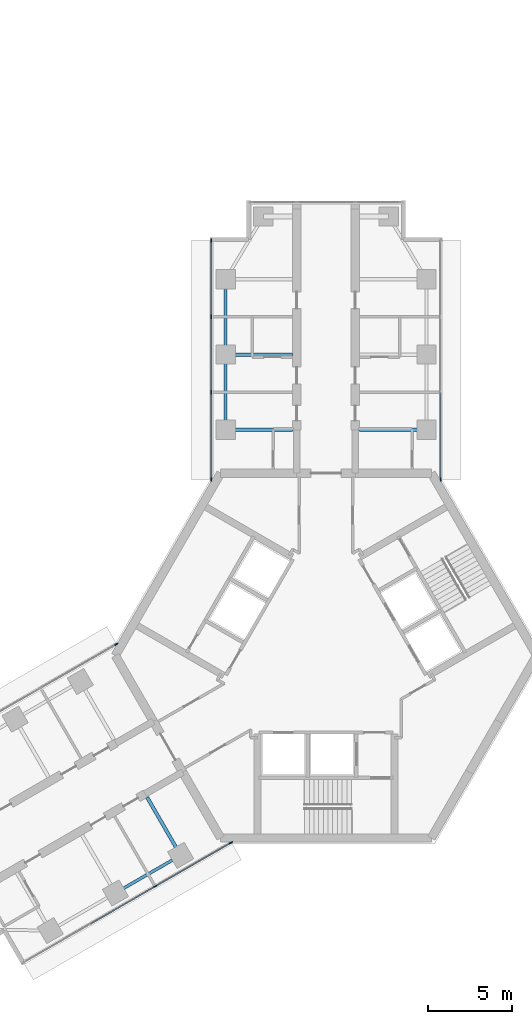
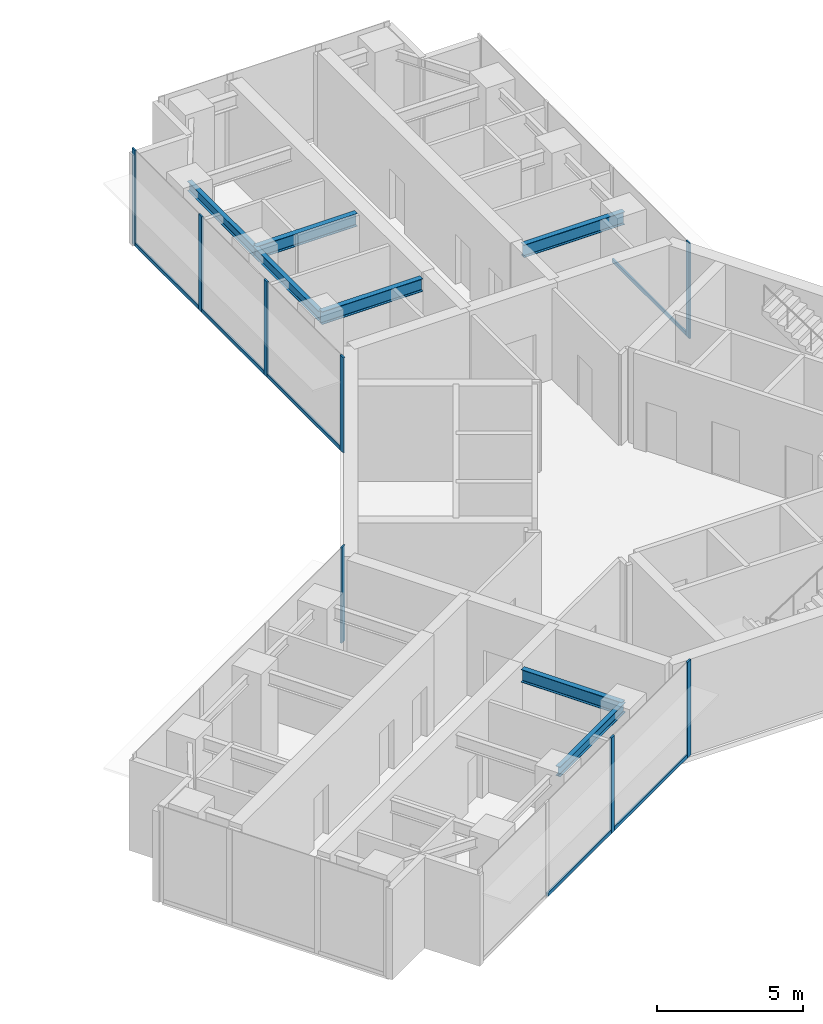
# One storey, part 8 of 17: 14 members, 7 beams, 4 elements without a shape of their own.
"""IFC4 building model written with IfcOpenShell, lengths in metres."""

from ifc_helpers import new_model, si_unit, direction, frame, origin, origin_2d, place, context, subcontext, project, spatial, rectangle, i_section, extrude, material, material_profile, profile_set, type_object, element, aggregate, save


model = new_model("IFC4")

# Units and contexts
model_context = context("Model", 3, precision=1e-05, world=origin(), true_north=direction((0.0, 1.0)))
body_context = subcontext(model_context, "Body", "Model", "MODEL_VIEW")
ifc_project = project(units=[si_unit("LENGTHUNIT", "METRE"), si_unit("AREAUNIT", "SQUARE_METRE"), si_unit("VOLUMEUNIT", "CUBIC_METRE"), si_unit("PLANEANGLEUNIT", "RADIAN"), si_unit("MASSUNIT", "GRAM", prefix="KILO")], contexts=[model_context])

# Site, building, storey
site_placement = place(None, origin())
site = spatial("IfcSite", under=ifc_project, at=site_placement, CompositionType="ELEMENT")
building_placement = place(site_placement, origin())
building = spatial("IfcBuilding", under=site, at=building_placement, Name="Upepo Twin Towers", CompositionType="ELEMENT")
storey_placement = place(building_placement, frame((0.0, 0.0, 198.5)))
storey = spatial("IfcBuildingStorey", under=building, at=storey_placement, Name="L48", CompositionType="ELEMENT", Elevation=198.5)

# Beams
ifc_material_1 = material(Name="Steel S355", Category="steel")
ifc_material_profile_1 = material_profile(ifc_material_1, i_section(OverallWidth=0.177978515625, OverallDepth=0.406494140625, WebThickness=0.0078125, FlangeThickness=0.0126953125, FilletRadius=0.01025390625, at=origin_2d()), Name="UB 406x178x60")
ifc_profile_set_1 = profile_set([ifc_material_profile_1], Name="Steel S355")
beam_type_1 = type_object("IfcBeamType", Name="Beam UB 406x178x60", PredefinedType="BEAM", material=ifc_profile_set_1)
for number, where, z_axis, x_axis, name in (
    (1, (52.5, -4.5, 3.5966796875), (0.0, 1.0, 0.0), (-1.0, 0.0, 0.0), "T2 edge beam AL 13.5-18.0"),
    (2, (52.5, 0.0, 3.5966796875), (0.0, 1.0, 0.0), (-1.0, 0.0, 0.0), "T2 edge beam AL 18.0-22.5"),
):
    element("IfcBeam", number, at=place(storey_placement, frame(where, z_axis=z_axis, x_axis=x_axis)), inside=storey, type_object=beam_type_1, Name=name, PredefinedType="BEAM", context=body_context, shape_type="SweptSolid", body=[
        extrude(i_section(OverallWidth=0.177978515625, OverallDepth=0.406494140625, WebThickness=0.0078125, FlangeThickness=0.0126953125, FilletRadius=0.01025390625, at=origin_2d()), origin(), (0.0, 0.0, 1.0), 4.5),
    ])
beam_placement = place(storey_placement, frame((49.80859375, -29.946044921875, 3.5966796875), z_axis=(-0.866017533419, -0.500013631625, 0.0), x_axis=(0.500013631625, -0.866017533419, 0.0)))
element("IfcBeam", 3, at=beam_placement, inside=storey, type_object=beam_type_1, Name="T2 edge beam BL 13.5-18.0", PredefinedType="BEAM", context=body_context, shape_type="SweptSolid", body=[
    extrude(i_section(OverallWidth=0.177978515625, OverallDepth=0.406494140625, WebThickness=0.0078125, FlangeThickness=0.0126953125, FilletRadius=0.01025390625, at=origin_2d()), origin(), (0.0, 0.0, 1.0), 4.499755859375),
])
ifc_material_2 = material(Name="Steel S355", Category="steel")
ifc_material_profile_2 = material_profile(ifc_material_2, i_section(OverallWidth=0.209228515625, OverallDepth=0.533203125, WebThickness=0.010009765625, FlangeThickness=0.015625, FilletRadius=0.0126953125, at=origin_2d()), Name="UB 533x210x92")
ifc_profile_set_2 = profile_set([ifc_material_profile_2], Name="Steel S355")
beam_type_2 = type_object("IfcBeamType", Name="Beam UB 533x210x92", PredefinedType="BEAM", material=ifc_profile_set_2)
for number, where, z_axis, x_axis, name in (
    (4, (52.5, -4.5, 3.533447265625), (1.0, 0.0, 0.0), (0.0, 1.0, 0.0), "T2 girder AL at 13.5"),
    (5, (52.5, 0.0, 3.533447265625), (1.0, 0.0, 0.0), (0.0, 1.0, 0.0), "T2 girder AL at 18.0"),
    (6, (64.5, -4.5, 3.533447265625), (-1.0, 0.0, 0.0), (0.0, -1.0, 0.0), "T2 girder AR at 13.5"),
    (7, (49.80859375, -29.946044921875, 3.533447265625), (-0.49999894854, 0.866026010844, 0.0), (-0.866026010844, -0.49999894854, 0.0), "T2 girder BL at 13.5"),
):
    element("IfcBeam", number, at=place(storey_placement, frame(where, z_axis=z_axis, x_axis=x_axis)), inside=storey, type_object=beam_type_2, Name=name, PredefinedType="BEAM", context=body_context, shape_type="SweptSolid", body=[
        extrude(i_section(OverallWidth=0.209228515625, OverallDepth=0.533203125, WebThickness=0.010009765625, FlangeThickness=0.015625, FilletRadius=0.0126953125, at=origin_2d()), origin(), (0.0, 0.0, 1.0), 4.0),
    ])

# Curtain wall, members
ifc_material_3 = material(Name="Aluminium and fritted glass", Category="aluminium")
curtain_wall_type = type_object("IfcCurtainWallType", Name="Tower curtain wall TW3, fritted glass", PredefinedType="NOTDEFINED", material=ifc_material_3)
curtain_wall_1_placement = place(storey_placement, origin())
curtain_wall_1 = element("IfcCurtainWall", 8, at=curtain_wall_1_placement, inside=storey, type_object=curtain_wall_type, Name="T2 L48 wing A flank L curtain wall", PredefinedType="NOTDEFINED")
ifc_material_4 = material(Name="Aluminium mullion", Category="aluminium")
ifc_material_profile_3 = material_profile(ifc_material_4, rectangle(XDim=0.06494140625, YDim=0.22509765625, at=origin_2d()), Name="MULLION 65x225")
ifc_profile_set_3 = profile_set([ifc_material_profile_3], Name="Aluminium mullion")
member_type_1 = type_object("IfcMemberType", Name="Mullion 65x225 TW3", PredefinedType="MULLION", material=ifc_profile_set_3)
member_1_placement = place(storey_placement, frame((51.64990234375, -7.48046875, 0.0), z_axis=(0.0, 0.0, 1.0), x_axis=(-1.0, 0.0, 0.0)))
member_1 = element("IfcMember", 9, at=member_1_placement, type_object=member_type_1, Name="T2 L48 wing A flank L curtain wall mullion 1", PredefinedType="MULLION", context=body_context, shape_type="SweptSolid", body=[
    extrude(rectangle(XDim=0.06494140625, YDim=0.22509765625, at=origin_2d()), origin(), (0.0, 0.0, 1.0), 4.0),
])
member_2_placement = place(storey_placement, frame((51.64990234375, -2.25, 0.0), z_axis=(0.0, 0.0, 1.0), x_axis=(-1.0, 0.0, 0.0)))
member_2 = element("IfcMember", 10, at=member_2_placement, type_object=member_type_1, Name="T2 L48 wing A flank L curtain wall mullion 2", PredefinedType="MULLION", context=body_context, shape_type="SweptSolid", body=[
    extrude(rectangle(XDim=0.06494140625, YDim=0.22509765625, at=origin_2d()), origin(), (0.0, 0.0, 1.0), 4.0),
])
member_3_placement = place(storey_placement, frame((51.64990234375, 2.25, 0.0), z_axis=(0.0, 0.0, 1.0), x_axis=(-1.0, 0.0, 0.0)))
member_3 = element("IfcMember", 11, at=member_3_placement, type_object=member_type_1, Name="T2 L48 wing A flank L curtain wall mullion 3", PredefinedType="MULLION", context=body_context, shape_type="SweptSolid", body=[
    extrude(rectangle(XDim=0.06494140625, YDim=0.22509765625, at=origin_2d()), origin(), (0.0, 0.0, 1.0), 4.0),
])
member_4_placement = place(storey_placement, frame((51.64990234375, 6.8173828125, 0.0), z_axis=(0.0, 0.0, 1.0), x_axis=(-1.0, 0.0, 0.0)))
member_4 = element("IfcMember", 12, at=member_4_placement, type_object=member_type_1, Name="T2 L48 wing A flank L curtain wall mullion 4", PredefinedType="MULLION", context=body_context, shape_type="SweptSolid", body=[
    extrude(rectangle(XDim=0.06494140625, YDim=0.22509765625, at=origin_2d()), origin(), (0.0, 0.0, 1.0), 4.0),
])

# Curtain wall, member
curtain_wall_2_placement = place(storey_placement, origin())
curtain_wall_2 = element("IfcCurtainWall", 13, at=curtain_wall_2_placement, inside=storey, type_object=curtain_wall_type, Name="T2 L48 wing A flank R curtain wall", PredefinedType="NOTDEFINED")
member_5_placement = place(storey_placement, frame((65.35009765625, -7.48046875, 0.0), z_axis=(0.0, 0.0, 1.0), x_axis=(1.0, 0.0, 0.0)))
member_5 = element("IfcMember", 14, at=member_5_placement, type_object=member_type_1, Name="T2 L48 wing A flank R curtain wall mullion 4", PredefinedType="MULLION", context=body_context, shape_type="SweptSolid", body=[
    extrude(rectangle(XDim=0.06494140625, YDim=0.22509765625, at=origin_2d()), origin(), (0.0, 0.0, 1.0), 4.0),
])

# Curtain wall, members
curtain_wall_3_placement = place(storey_placement, origin())
curtain_wall_3 = element("IfcCurtainWall", 15, at=curtain_wall_3_placement, inside=storey, type_object=curtain_wall_type, Name="T2 L48 wing B flank L curtain wall", PredefinedType="NOTDEFINED")
member_6_placement = place(storey_placement, frame((52.814697265625, -29.192138671875, 0.0), z_axis=(0.0, 0.0, 1.0), x_axis=(0.500000026527, -0.866025388469, 0.0)))
member_6 = element("IfcMember", 16, at=member_6_placement, type_object=member_type_1, Name="T2 L48 wing B flank L curtain wall mullion 1", PredefinedType="MULLION", context=body_context, shape_type="SweptSolid", body=[
    extrude(rectangle(XDim=0.06494140625, YDim=0.22509765625, at=origin_2d()), origin(), (0.0, 0.0, 1.0), 4.0),
])
member_7_placement = place(storey_placement, frame((48.28515625, -31.807373046875, 0.0), z_axis=(0.0, 0.0, 1.0), x_axis=(0.500000026527, -0.866025388469, 0.0)))
member_7 = element("IfcMember", 17, at=member_7_placement, type_object=member_type_1, Name="T2 L48 wing B flank L curtain wall mullion 2", PredefinedType="MULLION", context=body_context, shape_type="SweptSolid", body=[
    extrude(rectangle(XDim=0.06494140625, YDim=0.22509765625, at=origin_2d()), origin(), (0.0, 0.0, 1.0), 4.0),
])

# Curtain wall, member
curtain_wall_4_placement = place(storey_placement, origin())
curtain_wall_4 = element("IfcCurtainWall", 18, at=curtain_wall_4_placement, inside=storey, type_object=curtain_wall_type, Name="T2 L48 wing B flank R curtain wall", PredefinedType="NOTDEFINED")
member_8_placement = place(storey_placement, frame((45.96484375, -17.32763671875, 0.0), z_axis=(0.0, 0.0, 1.0), x_axis=(-0.500000026527, 0.866025388469, 0.0)))
member_8 = element("IfcMember", 19, at=member_8_placement, type_object=member_type_1, Name="T2 L48 wing B flank R curtain wall mullion 4", PredefinedType="MULLION", context=body_context, shape_type="SweptSolid", body=[
    extrude(rectangle(XDim=0.06494140625, YDim=0.22509765625, at=origin_2d()), origin(), (0.0, 0.0, 1.0), 4.0),
])
aggregate(curtain_wall_4, [member_8])

# Member
ifc_material_5 = material(Name="Aluminium transom", Category="aluminium")
ifc_material_profile_4 = material_profile(ifc_material_5, rectangle(XDim=0.06494140625, YDim=0.14990234375, at=origin_2d()), Name="TRANSOM 65x150")
ifc_profile_set_4 = profile_set([ifc_material_profile_4], Name="Aluminium transom")
member_type_2 = type_object("IfcMemberType", Name="Transom 65x150 TW3", PredefinedType="USERDEFINED", material=ifc_profile_set_4)
member_9_placement = place(storey_placement, frame((51.64990234375, -7.447998046875, 0.074951171875), z_axis=(0.0, 1.0, 0.0), x_axis=(-1.0, 0.0, 0.0)))
member_9 = element("IfcMember", 20, at=member_9_placement, type_object=member_type_2, Name="T2 L48 wing A flank L curtain wall transom 1", ObjectType="TRANSOM", PredefinedType="USERDEFINED", context=body_context, shape_type="SweptSolid", body=[
    extrude(rectangle(XDim=0.06494140625, YDim=0.14990234375, at=origin_2d()), origin(), (0.0, 0.0, 1.0), 5.16552734375),
])

member_10_placement = place(storey_placement, frame((51.64990234375, -2.217529296875, 0.074951171875), z_axis=(0.0, 1.0, 0.0), x_axis=(-1.0, 0.0, 0.0)))
member_10 = element("IfcMember", 21, at=member_10_placement, type_object=member_type_2, Name="T2 L48 wing A flank L curtain wall transom 2", ObjectType="TRANSOM", PredefinedType="USERDEFINED", context=body_context, shape_type="SweptSolid", body=[
    extrude(rectangle(XDim=0.06494140625, YDim=0.14990234375, at=origin_2d()), origin(), (0.0, 0.0, 1.0), 4.43505859375),
])

member_11_placement = place(storey_placement, frame((51.64990234375, 2.282470703125, 0.074951171875), z_axis=(0.0, 1.0, 0.0), x_axis=(-1.0, 0.0, 0.0)))
member_11 = element("IfcMember", 22, at=member_11_placement, type_object=member_type_2, Name="T2 L48 wing A flank L curtain wall transom 3", ObjectType="TRANSOM", PredefinedType="USERDEFINED", context=body_context, shape_type="SweptSolid", body=[
    extrude(rectangle(XDim=0.06494140625, YDim=0.14990234375, at=origin_2d()), origin(), (0.0, 0.0, 1.0), 4.50244140625),
])

aggregate(curtain_wall_1, [member_1, member_2, member_3, member_4, member_9, member_10, member_11])

member_12_placement = place(storey_placement, frame((65.35009765625, -2.282470703125, 0.074951171875), z_axis=(0.0, -1.0, 0.0), x_axis=(1.0, 0.0, 0.0)))
member_12 = element("IfcMember", 23, at=member_12_placement, type_object=member_type_2, Name="T2 L48 wing A flank R curtain wall transom 3", ObjectType="TRANSOM", PredefinedType="USERDEFINED", context=body_context, shape_type="SweptSolid", body=[
    extrude(rectangle(XDim=0.06494140625, YDim=0.14990234375, at=origin_2d()), origin(), (0.0, 0.0, 1.0), 5.16552734375),
])

aggregate(curtain_wall_2, [member_5, member_12])

member_13_placement = place(storey_placement, frame((52.78662109375, -29.208251953125, 0.074951171875), z_axis=(-0.86602108507, -0.500007480159, 0.0), x_axis=(0.500007480159, -0.86602108507, 0.0)))
member_13 = element("IfcMember", 24, at=member_13_placement, type_object=member_type_2, Name="T2 L48 wing B flank L curtain wall transom 1", ObjectType="TRANSOM", PredefinedType="USERDEFINED", context=body_context, shape_type="SweptSolid", body=[
    extrude(rectangle(XDim=0.06494140625, YDim=0.14990234375, at=origin_2d()), origin(), (0.0, 0.0, 1.0), 5.16552734375),
])

member_14_placement = place(storey_placement, frame((48.2568359375, -31.823486328125, 0.074951171875), z_axis=(-0.866022410713, -0.500005184116, 0.0), x_axis=(0.500005184116, -0.866022410713, 0.0)))
member_14 = element("IfcMember", 25, at=member_14_placement, type_object=member_type_2, Name="T2 L48 wing B flank L curtain wall transom 2", ObjectType="TRANSOM", PredefinedType="USERDEFINED", context=body_context, shape_type="SweptSolid", body=[
    extrude(rectangle(XDim=0.06494140625, YDim=0.14990234375, at=origin_2d()), origin(), (0.0, 0.0, 1.0), 4.43505859375),
])

aggregate(curtain_wall_3, [member_6, member_7, member_13, member_14])

save(model, "model.ifc")
